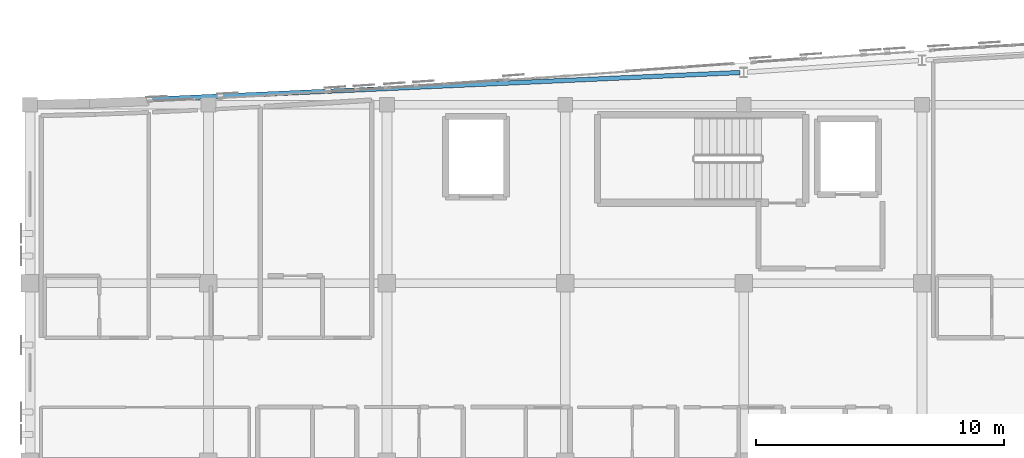
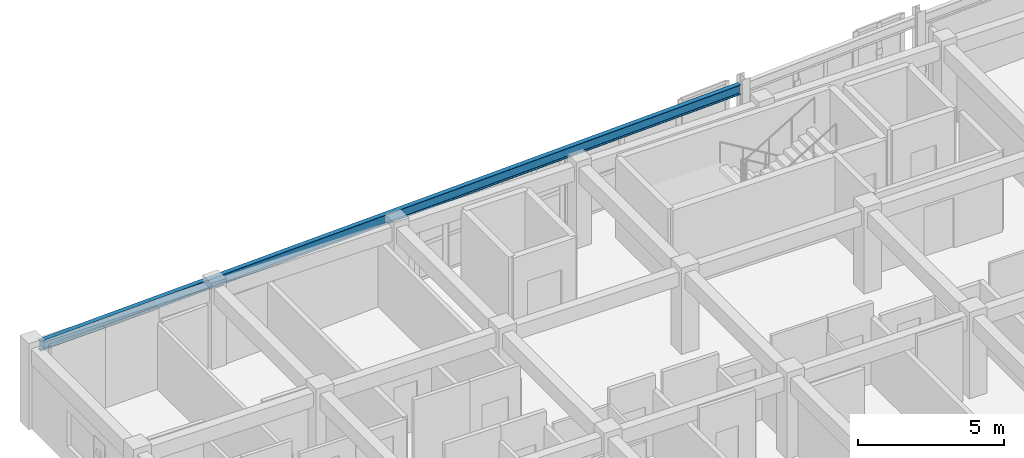
# One storey, part 7 of 50: 1 beam.
"""IFC4 building model written with IfcOpenShell, lengths in metres."""

from ifc_helpers import new_model, si_unit, direction, frame, origin, origin_2d, place, context, subcontext, project, spatial, i_section, extrude, material, material_profile, profile_set, type_object, element, save


model = new_model("IFC4")

# Units and contexts
model_context = context("Model", 3, precision=1e-05, world=origin(), true_north=direction((0.0, 1.0)))
body_context = subcontext(model_context, "Body", "Model", "MODEL_VIEW")
ifc_project = project(units=[si_unit("LENGTHUNIT", "METRE"), si_unit("AREAUNIT", "SQUARE_METRE"), si_unit("VOLUMEUNIT", "CUBIC_METRE"), si_unit("PLANEANGLEUNIT", "RADIAN"), si_unit("MASSUNIT", "GRAM", prefix="KILO")], contexts=[model_context])

# Site, building, storey
site_placement = place(None, origin())
site = spatial("IfcSite", under=ifc_project, at=site_placement, CompositionType="ELEMENT")
building_placement = place(site_placement, origin())
building = spatial("IfcBuilding", under=site, at=building_placement, Name="Carrowvane Square Congress Hotel", CompositionType="ELEMENT")
storey_placement = place(building_placement, frame((0.0, 0.0, 22.800048828125)))
storey = spatial("IfcBuildingStorey", under=building, at=storey_placement, Name="L05", CompositionType="ELEMENT", Elevation=22.800048828125)

# Beam
ifc_material = material(Name="Steel S355", Category="steel")
ifc_material_profile = material_profile(ifc_material, i_section(OverallWidth=0.1787109375, OverallDepth=0.409423828125, WebThickness=0.0087890625, FlangeThickness=0.014404296875, FilletRadius=0.01025390625, at=origin_2d()), Name="UKB 406x178x67")
ifc_profile_set = profile_set([ifc_material_profile], Name="Steel S355")
beam_type = type_object("IfcBeamType", Name="BM-ST-UKB406", PredefinedType="BEAM", material=ifc_profile_set)
beam_placement = place(storey_placement, frame((33.499755859375, 113.41357421875, 3.145263671875), z_axis=(0.998973341492, 0.045301909323, 0.0), x_axis=(-0.045301909323, 0.998973341492, 0.0)))
element("IfcBeam", 1, at=beam_placement, inside=storey, type_object=beam_type, Name="L06 curved north spandrel", PredefinedType="BEAM", context=body_context, shape_type="SweptSolid", body=[
    extrude(i_section(OverallWidth=0.1787109375, OverallDepth=0.409423828125, WebThickness=0.0087890625, FlangeThickness=0.014404296875, FilletRadius=0.01025390625, at=origin_2d()), origin(), (0.0, 0.0, 1.0), 28.37939453125),
])

save(model, "model.ifc")
